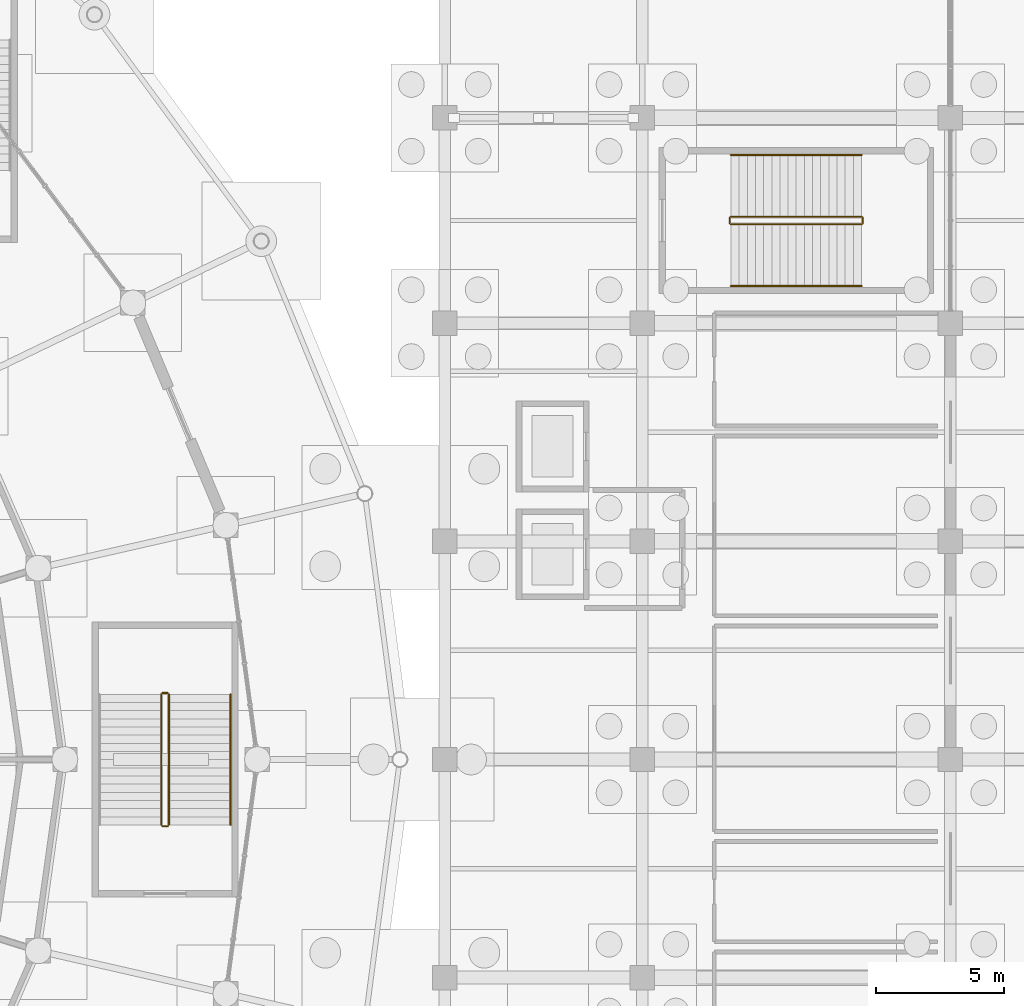
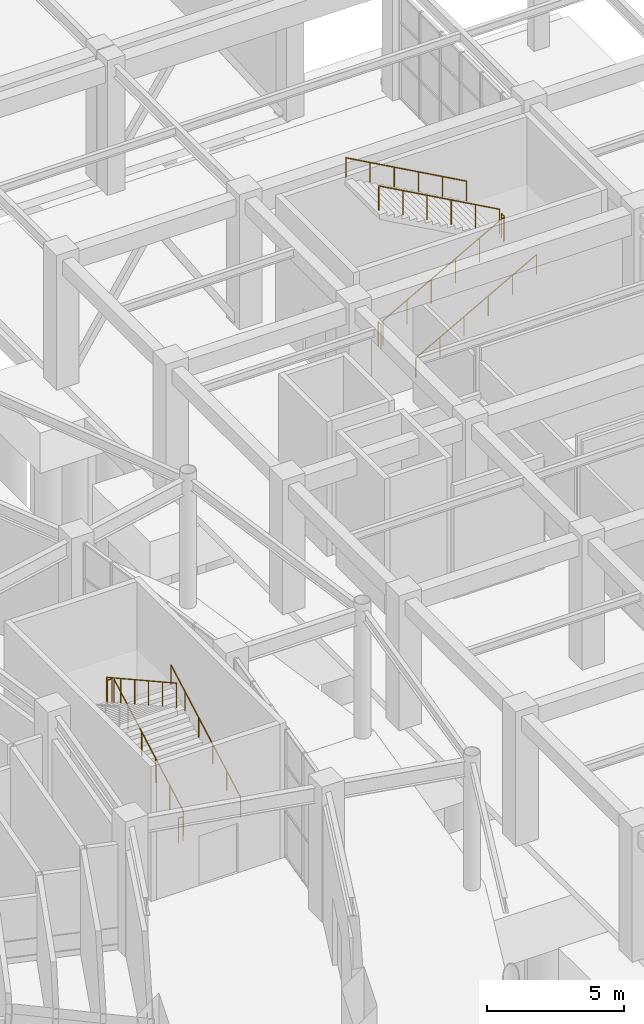
# One storey, part 116 of 121: 11 railings.
"""IFC4 building model written with IfcOpenShell, lengths in metres."""

from ifc_helpers import new_model, si_unit, direction, frame, origin, origin_2d, place, context, subcontext, project, spatial, circle, extrude, material, type_object, element, save


model = new_model("IFC4")

# Units and contexts
model_context = context("Model", 3, precision=1e-05, world=origin(), true_north=direction((0.0, 1.0)))
body_context = subcontext(model_context, "Body", "Model", "MODEL_VIEW")
ifc_project = project(units=[si_unit("LENGTHUNIT", "METRE"), si_unit("AREAUNIT", "SQUARE_METRE"), si_unit("VOLUMEUNIT", "CUBIC_METRE"), si_unit("PLANEANGLEUNIT", "RADIAN"), si_unit("MASSUNIT", "GRAM", prefix="KILO")], contexts=[model_context])

# Site, building, storey
site_placement = place(None, origin())
site = spatial("IfcSite", under=ifc_project, at=site_placement, CompositionType="ELEMENT")
building_placement = place(site_placement, origin())
building = spatial("IfcBuilding", under=site, at=building_placement, Name="Cuetzalor Civic Arena", CompositionType="ELEMENT")
storey_placement = place(building_placement, origin())
storey = spatial("IfcBuildingStorey", under=building, at=storey_placement, Name="L00", CompositionType="ELEMENT", Elevation=0.0)

# Railings
ifc_material_1 = material(Name="Reseda-green architectural Steel S355 balustrade", Category="steel")
railing_type_1 = type_object("IfcRailingType", Name="InteriorVoidBalustrade_1100", PredefinedType="BALUSTRADE", material=ifc_material_1)
railing_1_placement = place(storey_placement, frame((45.550048828125, -2.550048828125, 0.176513671875)))
element("IfcRailing", 1, at=railing_1_placement, inside=storey, type_object=railing_type_1, Name="L00 ST-01 stair guard 1", PredefinedType="BALUSTRADE", context=body_context, shape_type="SweptSolid", body=[
    extrude(circle(Radius=0.02392578125, at=origin_2d()), frame((0.0, 0.0, 1.0810546875), z_axis=(0.0, 0.874394655587, 0.485215401941), x_axis=(-1.0, 0.0, 0.0)), (0.0, 0.0, 1.0), 5.819091796875),
    extrude(circle(Radius=0.02099609375, at=origin_2d()), origin(), (0.0, 0.0, 1.0), 1.056884765625),
    extrude(circle(Radius=0.02099609375, at=origin_2d()), frame((0.0, 1.017578125, 0.564697265625)), (0.0, 0.0, 1.0), 1.056884765625),
    extrude(circle(Radius=0.02099609375, at=origin_2d()), frame((0.0, 2.03515625, 1.12939453125)), (0.0, 0.0, 1.0), 1.056884765625),
    extrude(circle(Radius=0.02099609375, at=origin_2d()), frame((0.0, 3.052978515625, 1.694091796875)), (0.0, 0.0, 1.0), 1.056884765625),
    extrude(circle(Radius=0.02099609375, at=origin_2d()), frame((0.0, 4.070556640625, 2.2587890625)), (0.0, 0.0, 1.0), 1.056884765625),
    extrude(circle(Radius=0.02099609375, at=origin_2d()), frame((0.0, 5.088134765625, 2.823486328125)), (0.0, 0.0, 1.0), 1.056884765625),
])
railing_2_placement = place(storey_placement, frame((45.5, 2.587890625, 3.0)))
element("IfcRailing", 2, at=railing_2_placement, inside=storey, type_object=railing_type_1, Name="L00 ST-01 stair guard 2", PredefinedType="BALUSTRADE", context=body_context, shape_type="SweptSolid", body=[
    extrude(circle(Radius=0.02392578125, at=origin_2d()), frame((0.0, 0.0, 1.0810546875), z_axis=(-1.0, 0.0, 0.0), x_axis=(0.0, -1.0, 0.0)), (0.0, 0.0, 1.0), 0.199951171875),
    extrude(circle(Radius=0.02099609375, at=origin_2d()), origin(), (0.0, 0.0, 1.0), 1.056884765625),
    extrude(circle(Radius=0.02099609375, at=origin_2d()), frame((-0.199951171875, 0.0, 0.0)), (0.0, 0.0, 1.0), 1.056884765625),
])
railing_3_placement = place(storey_placement, frame((45.25, 2.5380859375, 3.176513671875)))
element("IfcRailing", 3, at=railing_3_placement, inside=storey, type_object=railing_type_1, Name="L00 ST-01 stair guard 3", PredefinedType="BALUSTRADE", context=body_context, shape_type="SweptSolid", body=[
    extrude(circle(Radius=0.02392578125, at=origin_2d()), frame((0.0, 0.0, 1.0810546875), z_axis=(0.0, -0.874394655587, 0.485215401941), x_axis=(1.0, 0.0, 0.0)), (0.0, 0.0, 1.0), 5.819091796875),
    extrude(circle(Radius=0.02099609375, at=origin_2d()), origin(), (0.0, 0.0, 1.0), 1.056884765625),
    extrude(circle(Radius=0.02099609375, at=origin_2d()), frame((0.0, -1.017578125, 0.564697265625)), (0.0, 0.0, 1.0), 1.056884765625),
    extrude(circle(Radius=0.02099609375, at=origin_2d()), frame((0.0, -2.03515625, 1.12939453125)), (0.0, 0.0, 1.0), 1.056884765625),
    extrude(circle(Radius=0.02099609375, at=origin_2d()), frame((0.0, -3.052978515625, 1.694091796875)), (0.0, 0.0, 1.0), 1.056884765625),
    extrude(circle(Radius=0.02099609375, at=origin_2d()), frame((0.0, -4.070556640625, 2.2587890625)), (0.0, 0.0, 1.0), 1.056884765625),
    extrude(circle(Radius=0.02099609375, at=origin_2d()), frame((0.0, -5.088134765625, 2.823486328125)), (0.0, 0.0, 1.0), 1.056884765625),
])
railing_4_placement = place(storey_placement, frame((45.5, -2.60009765625, 0.0)))
element("IfcRailing", 4, at=railing_4_placement, inside=storey, type_object=railing_type_1, Name="L00 ST-01 stair guard 4", PredefinedType="BALUSTRADE", context=body_context, shape_type="SweptSolid", body=[
    extrude(circle(Radius=0.02392578125, at=origin_2d()), frame((0.0, 0.0, 1.0810546875), z_axis=(-1.0, 0.0, 0.0), x_axis=(0.0, -1.0, 0.0)), (0.0, 0.0, 1.0), 0.199951171875),
    extrude(circle(Radius=0.02099609375, at=origin_2d()), origin(), (0.0, 0.0, 1.0), 1.056884765625),
    extrude(circle(Radius=0.02099609375, at=origin_2d()), frame((-0.199951171875, 0.0, 0.0)), (0.0, 0.0, 1.0), 1.056884765625),
])
railing_5_placement = place(storey_placement, frame((67.449951171875, 20.85009765625, 0.176513671875)))
element("IfcRailing", 5, at=railing_5_placement, inside=storey, type_object=railing_type_1, Name="L00 ST-22 stair guard 1", PredefinedType="BALUSTRADE", context=body_context, shape_type="SweptSolid", body=[
    extrude(circle(Radius=0.02392578125, at=origin_2d()), frame((0.0, 0.0, 1.0810546875), z_axis=(0.874394655587, 0.0, 0.485215401941), x_axis=(0.0, 1.0, 0.0)), (0.0, 0.0, 1.0), 5.819091796875),
    extrude(circle(Radius=0.02099609375, at=origin_2d()), origin(), (0.0, 0.0, 1.0), 1.056884765625),
    extrude(circle(Radius=0.02099609375, at=origin_2d()), frame((1.017578125, 0.0, 0.564697265625)), (0.0, 0.0, 1.0), 1.056884765625),
    extrude(circle(Radius=0.02099609375, at=origin_2d()), frame((2.03515625, 0.0, 1.12939453125)), (0.0, 0.0, 1.0), 1.056884765625),
    extrude(circle(Radius=0.02099609375, at=origin_2d()), frame((3.052978515625, 0.0, 1.694091796875)), (0.0, 0.0, 1.0), 1.056884765625),
    extrude(circle(Radius=0.02099609375, at=origin_2d()), frame((4.070556640625, 0.0, 2.2587890625)), (0.0, 0.0, 1.0), 1.056884765625),
    extrude(circle(Radius=0.02099609375, at=origin_2d()), frame((5.088134765625, 0.0, 2.823486328125)), (0.0, 0.0, 1.0), 1.056884765625),
])
railing_6_placement = place(storey_placement, frame((72.587890625, 20.89990234375, 3.0)))
element("IfcRailing", 6, at=railing_6_placement, inside=storey, type_object=railing_type_1, Name="L00 ST-22 stair guard 2", PredefinedType="BALUSTRADE", context=body_context, shape_type="SweptSolid", body=[
    extrude(circle(Radius=0.02392578125, at=origin_2d()), frame((0.0, 0.0, 1.0810546875), z_axis=(0.0, 1.0, 0.0), x_axis=(-1.0, 0.0, 0.0)), (0.0, 0.0, 1.0), 0.2001953125),
    extrude(circle(Radius=0.02099609375, at=origin_2d()), origin(), (0.0, 0.0, 1.0), 1.056884765625),
    extrude(circle(Radius=0.02099609375, at=origin_2d()), frame((0.0, 0.2001953125, 0.0)), (0.0, 0.0, 1.0), 1.056884765625),
])
railing_7_placement = place(storey_placement, frame((72.5380859375, 21.14990234375, 3.176513671875)))
element("IfcRailing", 7, at=railing_7_placement, inside=storey, type_object=railing_type_1, Name="L00 ST-22 stair guard 3", PredefinedType="BALUSTRADE", context=body_context, shape_type="SweptSolid", body=[
    extrude(circle(Radius=0.02392578125, at=origin_2d()), frame((0.0, 0.0, 1.0810546875), z_axis=(-0.874394655587, 0.0, 0.485215401941), x_axis=(0.0, -1.0, 0.0)), (0.0, 0.0, 1.0), 5.819091796875),
    extrude(circle(Radius=0.02099609375, at=origin_2d()), origin(), (0.0, 0.0, 1.0), 1.056884765625),
    extrude(circle(Radius=0.02099609375, at=origin_2d()), frame((-1.017578125, 0.0, 0.564697265625)), (0.0, 0.0, 1.0), 1.056884765625),
    extrude(circle(Radius=0.02099609375, at=origin_2d()), frame((-2.03515625, 0.0, 1.12939453125)), (0.0, 0.0, 1.0), 1.056884765625),
    extrude(circle(Radius=0.02099609375, at=origin_2d()), frame((-3.052978515625, 0.0, 1.694091796875)), (0.0, 0.0, 1.0), 1.056884765625),
    extrude(circle(Radius=0.02099609375, at=origin_2d()), frame((-4.070556640625, 0.0, 2.2587890625)), (0.0, 0.0, 1.0), 1.056884765625),
    extrude(circle(Radius=0.02099609375, at=origin_2d()), frame((-5.088134765625, 0.0, 2.823486328125)), (0.0, 0.0, 1.0), 1.056884765625),
])
railing_8_placement = place(storey_placement, frame((67.39990234375, 20.89990234375, 0.0)))
element("IfcRailing", 8, at=railing_8_placement, inside=storey, type_object=railing_type_1, Name="L00 ST-22 stair guard 4", PredefinedType="BALUSTRADE", context=body_context, shape_type="SweptSolid", body=[
    extrude(circle(Radius=0.02392578125, at=origin_2d()), frame((0.0, 0.0, 1.0810546875), z_axis=(0.0, 1.0, 0.0), x_axis=(-1.0, 0.0, 0.0)), (0.0, 0.0, 1.0), 0.2001953125),
    extrude(circle(Radius=0.02099609375, at=origin_2d()), origin(), (0.0, 0.0, 1.0), 1.056884765625),
    extrude(circle(Radius=0.02099609375, at=origin_2d()), frame((0.0, 0.2001953125, 0.0)), (0.0, 0.0, 1.0), 1.056884765625),
])
ifc_material_2 = material(Name="Galvanised steel S355", Category="steel")
railing_type_2 = type_object("IfcRailingType", Name="StairPitchHandrail_900", PredefinedType="HANDRAIL", material=ifc_material_2)
railing_9_placement = place(storey_placement, frame((47.949951171875, -2.550048828125, 0.176513671875)))
element("IfcRailing", 9, at=railing_9_placement, inside=storey, type_object=railing_type_2, Name="L00 ST-01 stair handrail 1", PredefinedType="HANDRAIL", context=body_context, shape_type="SweptSolid", body=[
    extrude(circle(Radius=0.02392578125, at=origin_2d()), frame((0.0, 0.0, 0.8759765625), z_axis=(0.0, 0.874394655587, 0.485215401941), x_axis=(-1.0, 0.0, 0.0)), (0.0, 0.0, 1.0), 5.819091796875),
    extrude(circle(Radius=0.02099609375, at=origin_2d()), origin(), (0.0, 0.0, 1.0), 0.851806640625),
    extrude(circle(Radius=0.02099609375, at=origin_2d()), frame((0.0, 1.017578125, 0.564697265625)), (0.0, 0.0, 1.0), 0.851806640625),
    extrude(circle(Radius=0.02099609375, at=origin_2d()), frame((0.0, 2.03515625, 1.12939453125)), (0.0, 0.0, 1.0), 0.851806640625),
    extrude(circle(Radius=0.02099609375, at=origin_2d()), frame((0.0, 3.052978515625, 1.694091796875)), (0.0, 0.0, 1.0), 0.851806640625),
    extrude(circle(Radius=0.02099609375, at=origin_2d()), frame((0.0, 4.070556640625, 2.2587890625)), (0.0, 0.0, 1.0), 0.851806640625),
    extrude(circle(Radius=0.02099609375, at=origin_2d()), frame((0.0, 5.088134765625, 2.823486328125)), (0.0, 0.0, 1.0), 0.851806640625),
])
railing_10_placement = place(storey_placement, frame((67.449951171875, 18.449951171875, 0.176513671875)))
element("IfcRailing", 10, at=railing_10_placement, inside=storey, type_object=railing_type_2, Name="L00 ST-22 stair handrail 1", PredefinedType="HANDRAIL", context=body_context, shape_type="SweptSolid", body=[
    extrude(circle(Radius=0.02392578125, at=origin_2d()), frame((0.0, 0.0, 0.8759765625), z_axis=(0.874394655587, 0.0, 0.485215401941), x_axis=(0.0, 1.0, 0.0)), (0.0, 0.0, 1.0), 5.819091796875),
    extrude(circle(Radius=0.02099609375, at=origin_2d()), origin(), (0.0, 0.0, 1.0), 0.851806640625),
    extrude(circle(Radius=0.02099609375, at=origin_2d()), frame((1.017578125, 0.0, 0.564697265625)), (0.0, 0.0, 1.0), 0.851806640625),
    extrude(circle(Radius=0.02099609375, at=origin_2d()), frame((2.03515625, 0.0, 1.12939453125)), (0.0, 0.0, 1.0), 0.851806640625),
    extrude(circle(Radius=0.02099609375, at=origin_2d()), frame((3.052978515625, 0.0, 1.694091796875)), (0.0, 0.0, 1.0), 0.851806640625),
    extrude(circle(Radius=0.02099609375, at=origin_2d()), frame((4.070556640625, 0.0, 2.2587890625)), (0.0, 0.0, 1.0), 0.851806640625),
    extrude(circle(Radius=0.02099609375, at=origin_2d()), frame((5.088134765625, 0.0, 2.823486328125)), (0.0, 0.0, 1.0), 0.851806640625),
])
railing_11_placement = place(storey_placement, frame((72.5380859375, 23.550048828125, 3.176513671875)))
element("IfcRailing", 11, at=railing_11_placement, inside=storey, type_object=railing_type_2, Name="L00 ST-22 stair handrail 2", PredefinedType="HANDRAIL", context=body_context, shape_type="SweptSolid", body=[
    extrude(circle(Radius=0.02392578125, at=origin_2d()), frame((0.0, 0.0, 0.8759765625), z_axis=(-0.874394655587, 0.0, 0.485215401941), x_axis=(0.0, -1.0, 0.0)), (0.0, 0.0, 1.0), 5.819091796875),
    extrude(circle(Radius=0.02099609375, at=origin_2d()), origin(), (0.0, 0.0, 1.0), 0.851806640625),
    extrude(circle(Radius=0.02099609375, at=origin_2d()), frame((-1.017578125, 0.0, 0.564697265625)), (0.0, 0.0, 1.0), 0.851806640625),
    extrude(circle(Radius=0.02099609375, at=origin_2d()), frame((-2.03515625, 0.0, 1.12939453125)), (0.0, 0.0, 1.0), 0.851806640625),
    extrude(circle(Radius=0.02099609375, at=origin_2d()), frame((-3.052978515625, 0.0, 1.694091796875)), (0.0, 0.0, 1.0), 0.851806640625),
    extrude(circle(Radius=0.02099609375, at=origin_2d()), frame((-4.070556640625, 0.0, 2.2587890625)), (0.0, 0.0, 1.0), 0.851806640625),
    extrude(circle(Radius=0.02099609375, at=origin_2d()), frame((-5.088134765625, 0.0, 2.823486328125)), (0.0, 0.0, 1.0), 0.851806640625),
])

save(model, "model.ifc")
